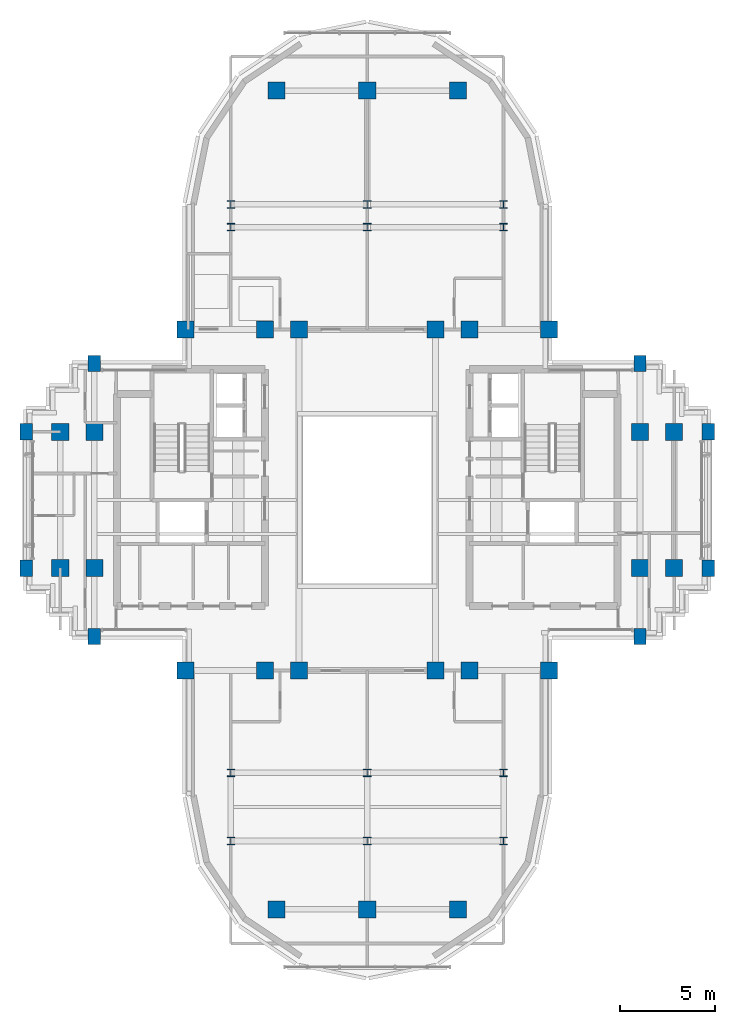
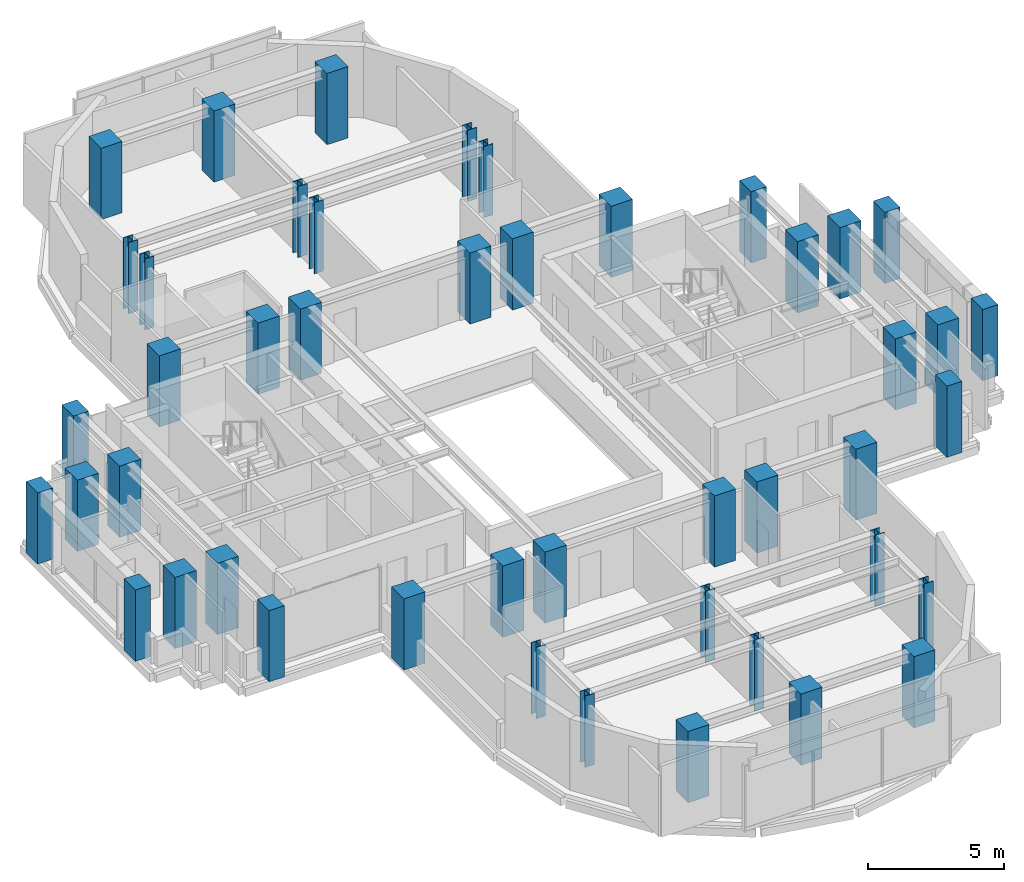
# One storey, part 1 of 12: 46 columns.
"""IFC4 building model written with IfcOpenShell, lengths in metres."""

from ifc_helpers import new_model, si_unit, direction, frame, origin, origin_2d, place, context, subcontext, project, spatial, rectangle, i_section, extrude, source, transform, mapped, material, material_profile, profile_set, type_object, element, save


model = new_model("IFC4")

# Units and contexts
model_context = context("Model", 3, precision=1e-05, world=origin(), true_north=direction((0.0, 1.0)))
body_context = subcontext(model_context, "Body", "Model", "MODEL_VIEW")
ifc_project = project(units=[si_unit("LENGTHUNIT", "METRE"), si_unit("AREAUNIT", "SQUARE_METRE"), si_unit("VOLUMEUNIT", "CUBIC_METRE"), si_unit("PLANEANGLEUNIT", "RADIAN"), si_unit("MASSUNIT", "GRAM", prefix="KILO")], contexts=[model_context])

# Site, building, storey
site_placement = place(None, origin())
site = spatial("IfcSite", under=ifc_project, at=site_placement, CompositionType="ELEMENT")
building_placement = place(site_placement, origin())
building = spatial("IfcBuilding", under=site, at=building_placement, Name="Keilestroom Media Tower", CompositionType="ELEMENT")
storey_placement = place(building_placement, frame((0.0, 0.0, 184.199951171875)))
storey = spatial("IfcBuildingStorey", under=building, at=storey_placement, Name="L50", CompositionType="ELEMENT", Elevation=184.199951171875)

# Columns
ifc_material_1 = material(Name="Precast concrete C40/50", Category="concrete")
ifc_material_profile_1 = material_profile(ifc_material_1, rectangle(XDim=0.64990234375, YDim=0.85009765625, at=origin_2d()), Name="PC 850x650")
ifc_profile_set_1 = profile_set([ifc_material_profile_1], Name="Precast concrete C40/50")
column_type_1 = type_object("IfcColumnType", Name="Structural-Column-PC-850x650", PredefinedType="COLUMN", material=ifc_profile_set_1)
shared_shape_1 = source(origin(), body_context, "Body", "SweptSolid", [
    extrude(rectangle(XDim=0.64990234375, YDim=0.85009765625, at=origin_2d()), origin(), (0.0, 0.0, 1.0), 3.199951171875),
])
for number, where, z_axis, x_axis, name in (
    (1, (-18.0, -3.60009765625, 0.0), (0.0, 0.0, 1.0), (1.0, 0.0, 0.0), "L50 Column PC-2 (-18.0,-3.6)"),
    (2, (-18.0, 3.60009765625, 0.0), (0.0, 0.0, 1.0), (1.0, 0.0, 0.0), "L50 Column PC-2 (-18.0,+3.6)"),
    (3, (-14.39990234375, -7.199951171875, 0.0), (0.0, 0.0, 1.0), (1.0, 0.0, 0.0), "L50 Column PC-2 (-14.4,-7.2)"),
    (4, (-14.39990234375, 7.199951171875, 0.0), (0.0, 0.0, 1.0), (1.0, 0.0, 0.0), "L50 Column PC-2 (-14.4,+7.2)"),
    (5, (14.39990234375, -7.199951171875, 0.0), (0.0, 0.0, 1.0), (1.0, 0.0, 0.0), "L50 Column PC-2 (+14.4,-7.2)"),
    (6, (14.39990234375, 7.199951171875, 0.0), (0.0, 0.0, 1.0), (1.0, 0.0, 0.0), "L50 Column PC-2 (+14.4,+7.2)"),
    (7, (18.0, -3.60009765625, 0.0), (0.0, 0.0, 1.0), (1.0, 0.0, 0.0), "L50 Column PC-2 (+18.0,-3.6)"),
    (8, (18.0, 3.60009765625, 0.0), (0.0, 0.0, 1.0), (1.0, 0.0, 0.0), "L50 Column PC-2 (+18.0,+3.6)"),
):
    element("IfcColumn", number, at=place(storey_placement, frame(where, z_axis=z_axis, x_axis=x_axis)), inside=storey, type_object=column_type_1, Name=name, PredefinedType="COLUMN", context=body_context, shape_type="MappedRepresentation", body=[
        mapped(shared_shape_1, transform((0.0, 0.0, 0.0), x_axis=(1.0, 0.0, 0.0), y_axis=(0.0, 1.0, 0.0), z_axis=(0.0, 0.0, 1.0), scale=1.0)),
    ])
ifc_material_2 = material(Name="Concrete C55/67", Category="concrete")
ifc_material_profile_2 = material_profile(ifc_material_2, rectangle(XDim=0.89990234375, YDim=0.89990234375, at=origin_2d()), Name="RC 900x900")
ifc_profile_set_2 = profile_set([ifc_material_profile_2], Name="Concrete C55/67")
column_type_2 = type_object("IfcColumnType", Name="Structural-Column-RC-900x900", PredefinedType="COLUMN", material=ifc_profile_set_2)
shared_shape_2 = source(origin(), body_context, "Body", "SweptSolid", [
    extrude(rectangle(XDim=0.89990234375, YDim=0.89990234375, at=origin_2d()), origin(), (0.0, 0.0, 1.0), 3.199951171875),
])
for number, where, z_axis, x_axis, name in (
    (9, (-16.199951171875, -3.60009765625, 0.0), (0.0, 0.0, 1.0), (1.0, 0.0, 0.0), "L50 Column MC-4 (-16.2,-3.6)"),
    (10, (-16.199951171875, 3.60009765625, 0.0), (0.0, 0.0, 1.0), (1.0, 0.0, 0.0), "L50 Column MC-4 (-16.2,+3.6)"),
    (11, (-14.39990234375, -3.60009765625, 0.0), (0.0, 0.0, 1.0), (1.0, 0.0, 0.0), "L50 Column MC-4 (-14.4,-3.6)"),
    (12, (-14.39990234375, 3.60009765625, 0.0), (0.0, 0.0, 1.0), (1.0, 0.0, 0.0), "L50 Column MC-4 (-14.4,+3.6)"),
    (13, (-9.60009765625, -9.0, 0.0), (0.0, 0.0, 1.0), (1.0, 0.0, 0.0), "L50 Column MC-4 (-9.6,-9.0)"),
    (14, (-9.60009765625, 9.0, 0.0), (0.0, 0.0, 1.0), (1.0, 0.0, 0.0), "L50 Column MC-4 (-9.6,+9.0)"),
    (15, (-5.39990234375, -9.0, 0.0), (0.0, 0.0, 1.0), (1.0, 0.0, 0.0), "L50 Column MC-4 (-5.4,-9.0)"),
    (16, (-5.39990234375, 9.0, 0.0), (0.0, 0.0, 1.0), (1.0, 0.0, 0.0), "L50 Column MC-4 (-5.4,+9.0)"),
    (17, (-4.800048828125, -21.60009765625, 0.0), (0.0, 0.0, 1.0), (1.0, 0.0, 0.0), "L50 Column MC-4 (-4.8,-21.6)"),
    (18, (-4.800048828125, 21.60009765625, 0.0), (0.0, 0.0, 1.0), (1.0, 0.0, 0.0), "L50 Column MC-4 (-4.8,+21.6)"),
    (19, (-3.60009765625, -9.0, 0.0), (0.0, 0.0, 1.0), (1.0, 0.0, 0.0), "L50 Column MC-4 (-3.6,-9.0)"),
    (20, (-3.60009765625, 9.0, 0.0), (0.0, 0.0, 1.0), (1.0, 0.0, 0.0), "L50 Column MC-4 (-3.6,+9.0)"),
    (21, (0.0, -21.60009765625, 0.0), (0.0, 0.0, 1.0), (1.0, 0.0, 0.0), "L50 Column MC-4 (+0.0,-21.6)"),
    (22, (0.0, 21.60009765625, 0.0), (0.0, 0.0, 1.0), (1.0, 0.0, 0.0), "L50 Column MC-4 (+0.0,+21.6)"),
    (23, (3.60009765625, -9.0, 0.0), (0.0, 0.0, 1.0), (1.0, 0.0, 0.0), "L50 Column MC-4 (+3.6,-9.0)"),
    (24, (3.60009765625, 9.0, 0.0), (0.0, 0.0, 1.0), (1.0, 0.0, 0.0), "L50 Column MC-4 (+3.6,+9.0)"),
    (25, (4.800048828125, -21.60009765625, 0.0), (0.0, 0.0, 1.0), (1.0, 0.0, 0.0), "L50 Column MC-4 (+4.8,-21.6)"),
    (26, (4.800048828125, 21.60009765625, 0.0), (0.0, 0.0, 1.0), (1.0, 0.0, 0.0), "L50 Column MC-4 (+4.8,+21.6)"),
    (27, (5.39990234375, -9.0, 0.0), (0.0, 0.0, 1.0), (1.0, 0.0, 0.0), "L50 Column MC-4 (+5.4,-9.0)"),
    (28, (5.39990234375, 9.0, 0.0), (0.0, 0.0, 1.0), (1.0, 0.0, 0.0), "L50 Column MC-4 (+5.4,+9.0)"),
    (29, (9.60009765625, -9.0, 0.0), (0.0, 0.0, 1.0), (1.0, 0.0, 0.0), "L50 Column MC-4 (+9.6,-9.0)"),
    (30, (9.60009765625, 9.0, 0.0), (0.0, 0.0, 1.0), (1.0, 0.0, 0.0), "L50 Column MC-4 (+9.6,+9.0)"),
    (31, (14.39990234375, -3.60009765625, 0.0), (0.0, 0.0, 1.0), (1.0, 0.0, 0.0), "L50 Column MC-4 (+14.4,-3.6)"),
    (32, (14.39990234375, 3.60009765625, 0.0), (0.0, 0.0, 1.0), (1.0, 0.0, 0.0), "L50 Column MC-4 (+14.4,+3.6)"),
    (33, (16.199951171875, -3.60009765625, 0.0), (0.0, 0.0, 1.0), (1.0, 0.0, 0.0), "L50 Column MC-4 (+16.2,-3.6)"),
    (34, (16.199951171875, 3.60009765625, 0.0), (0.0, 0.0, 1.0), (1.0, 0.0, 0.0), "L50 Column MC-4 (+16.2,+3.6)"),
):
    element("IfcColumn", number, at=place(storey_placement, frame(where, z_axis=z_axis, x_axis=x_axis)), inside=storey, type_object=column_type_2, Name=name, PredefinedType="COLUMN", context=body_context, shape_type="MappedRepresentation", body=[
        mapped(shared_shape_2, transform((0.0, 0.0, 0.0), x_axis=(1.0, 0.0, 0.0), y_axis=(0.0, 1.0, 0.0), z_axis=(0.0, 0.0, 1.0), scale=1.0)),
    ])
ifc_material_3 = material(Name="Steel S355", Category="steel")
ifc_material_profile_3 = material_profile(ifc_material_3, i_section(OverallWidth=0.39794921875, OverallDepth=0.386962890625, WebThickness=0.017578125, FlangeThickness=0.028076171875, at=origin_2d()), Name="HD 400x262")
ifc_profile_set_3 = profile_set([ifc_material_profile_3], Name="Steel S355")
column_type_3 = type_object("IfcColumnType", Name="Structural-Column-HD-400x262", PredefinedType="COLUMN", material=ifc_profile_set_3)
shared_shape_3 = source(origin(), body_context, "Body", "SweptSolid", [
    extrude(i_section(OverallWidth=0.39794921875, OverallDepth=0.386962890625, WebThickness=0.017578125, FlangeThickness=0.028076171875, at=origin_2d()), origin(), (0.0, 0.0, 1.0), 3.199951171875),
])
for number, where, z_axis, x_axis, name in (
    (35, (-7.199951171875, -18.0, 0.0), (0.0, 0.0, 1.0), (1.0, 0.0, 0.0), "L50 Column SC-4 (-7.2,-18.0)"),
    (36, (-7.199951171875, -14.39990234375, 0.0), (0.0, 0.0, 1.0), (1.0, 0.0, 0.0), "L50 Column SC-4 (-7.2,-14.4)"),
    (37, (-7.199951171875, 14.39990234375, 0.0), (0.0, 0.0, 1.0), (1.0, 0.0, 0.0), "L50 Column SC-4 (-7.2,+14.4)"),
    (38, (-7.199951171875, 15.60009765625, 0.0), (0.0, 0.0, 1.0), (1.0, 0.0, 0.0), "L50 Column SC-4 (-7.2,+15.6)"),
    (39, (0.0, -18.0, 0.0), (0.0, 0.0, 1.0), (1.0, 0.0, 0.0), "L50 Column SC-4 (+0.0,-18.0)"),
    (40, (0.0, -14.39990234375, 0.0), (0.0, 0.0, 1.0), (1.0, 0.0, 0.0), "L50 Column SC-4 (+0.0,-14.4)"),
    (41, (0.0, 14.39990234375, 0.0), (0.0, 0.0, 1.0), (1.0, 0.0, 0.0), "L50 Column SC-4 (+0.0,+14.4)"),
    (42, (0.0, 15.60009765625, 0.0), (0.0, 0.0, 1.0), (1.0, 0.0, 0.0), "L50 Column SC-4 (+0.0,+15.6)"),
    (43, (7.199951171875, -18.0, 0.0), (0.0, 0.0, 1.0), (1.0, 0.0, 0.0), "L50 Column SC-4 (+7.2,-18.0)"),
    (44, (7.199951171875, -14.39990234375, 0.0), (0.0, 0.0, 1.0), (1.0, 0.0, 0.0), "L50 Column SC-4 (+7.2,-14.4)"),
    (45, (7.199951171875, 14.39990234375, 0.0), (0.0, 0.0, 1.0), (1.0, 0.0, 0.0), "L50 Column SC-4 (+7.2,+14.4)"),
    (46, (7.199951171875, 15.60009765625, 0.0), (0.0, 0.0, 1.0), (1.0, 0.0, 0.0), "L50 Column SC-4 (+7.2,+15.6)"),
):
    element("IfcColumn", number, at=place(storey_placement, frame(where, z_axis=z_axis, x_axis=x_axis)), inside=storey, type_object=column_type_3, Name=name, PredefinedType="COLUMN", context=body_context, shape_type="MappedRepresentation", body=[
        mapped(shared_shape_3, transform((0.0, 0.0, 0.0), x_axis=(1.0, 0.0, 0.0), y_axis=(0.0, 1.0, 0.0), z_axis=(0.0, 0.0, 1.0), scale=1.0)),
    ])

save(model, "model.ifc")
